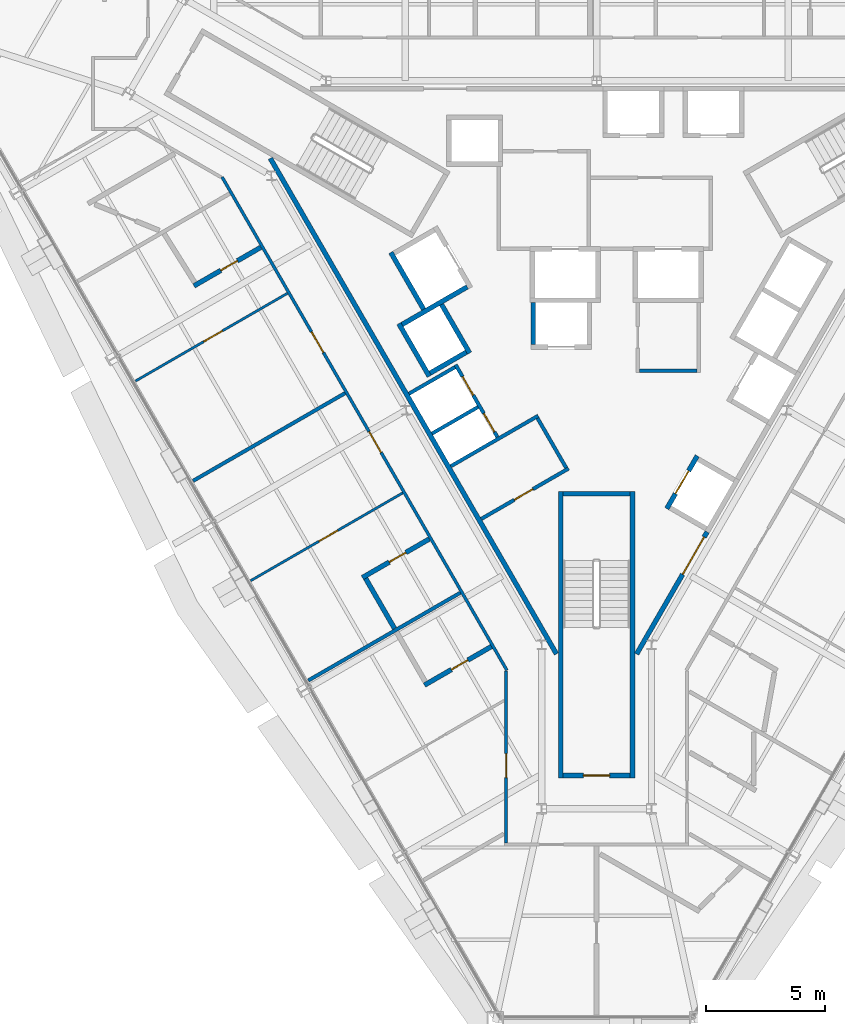
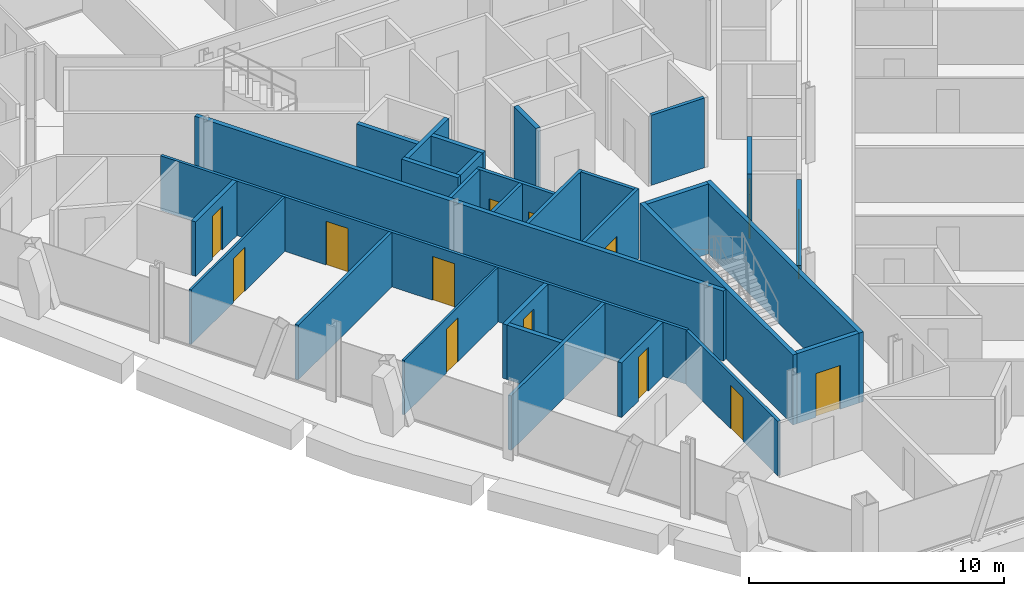
# One storey, part 10 of 16: 30 walls, 14 doors, 14 openings.
"""IFC4 building model written with IfcOpenShell, lengths in metres."""

from ifc_helpers import new_model, si_unit, direction, frame, frame_2d, origin, place, context, subcontext, project, spatial, rectangle, extrude, material, layer, layer_set, type_object, element, fill, save


model = new_model("IFC4")

# Units and contexts
model_context = context("Model", 3, precision=1e-05, world=origin(), true_north=direction((0.0, 1.0)))
body_context = subcontext(model_context, "Body", "Model", "MODEL_VIEW")
ifc_project = project(units=[si_unit("LENGTHUNIT", "METRE"), si_unit("AREAUNIT", "SQUARE_METRE"), si_unit("VOLUMEUNIT", "CUBIC_METRE"), si_unit("PLANEANGLEUNIT", "RADIAN"), si_unit("MASSUNIT", "GRAM", prefix="KILO")], contexts=[model_context])

# Site, building, storey
site_placement = place(None, origin())
site = spatial("IfcSite", under=ifc_project, at=site_placement, CompositionType="ELEMENT")
building_placement = place(site_placement, origin())
building = spatial("IfcBuilding", under=site, at=building_placement, Name="Verrane Prism Tower", CompositionType="ELEMENT")
storey_placement = place(building_placement, frame((0.0, 0.0, 107.199951171875)))
storey = spatial("IfcBuildingStorey", under=building, at=storey_placement, Name="L25", CompositionType="ELEMENT", Elevation=107.199951171875)

# Wall
ifc_material_1 = material(Name="Gypsum board partition", Category="other")
ifc_layer_1 = layer(ifc_material_1, 0.199951171875)
ifc_layer_set_1 = layer_set([ifc_layer_1], Name="CW-200 core boundary wall 2 h")
wall_type_1 = type_object("IfcWallType", Name="CW-200 core boundary wall 2 h", PredefinedType="PARTITIONING", material=ifc_layer_set_1)
wall_1_placement = place(storey_placement, frame((-13.66357421875, 5.946044921875, 0.0), z_axis=(0.0, 0.0, 1.0), x_axis=(0.499994327219, -0.866028678941, 0.0)))
element("IfcWall", 1, at=wall_1_placement, inside=storey, type_object=wall_type_1, Name="Core boundary wall CW3-001", PredefinedType="PARTITIONING", context=body_context, shape_type="SweptSolid", body=[
    extrude(rectangle(XDim=23.967529296875, YDim=0.199951171875, at=frame_2d((11.98388671875, 0.0))), origin(), (0.0, 0.0, 1.0), 3.35009765625),
])

# Wall, opening, door
wall_2_placement = place(storey_placement, frame((1.677490234375, -14.814697265625, 0.0), z_axis=(0.0, 0.0, 1.0), x_axis=(0.49999445743, 0.866028603765, 0.0)))
wall_2 = element("IfcWall", 2, at=wall_2_placement, inside=storey, type_object=wall_type_1, Name="Core boundary wall CW3-003", PredefinedType="PARTITIONING", context=body_context, shape_type="SweptSolid", body=[
    extrude(rectangle(XDim=5.90478515625, YDim=0.199951171875, at=frame_2d((2.952392578125, 0.0))), origin(), (0.0, 0.0, 1.0), 3.35009765625),
])
opening_1_placement = place(wall_2_placement, frame((3.85498046875, 0.0, 0.0)))
opening_1 = element("IfcOpeningElement", 3, at=opening_1_placement, cuts=wall_2, Name="Opening D24517", PredefinedType="OPENING", context=body_context, shape_type="SweptSolid", body=[
    extrude(rectangle(XDim=1.800048828125, YDim=2.10009765625, at=frame_2d((0.89990234375, 1.050048828125))), frame((0.0, 0.10986328125, 0.0), z_axis=(0.0, -1.0, 0.0), x_axis=(1.0, 0.0, 0.0)), (0.0, 0.0, 1.0), 0.219970703125),
])
ifc_material_2 = material(Name="Timber veneered door leaf", Category="wood")
door_type_1 = type_object("IfcDoorType", Name="DR-1800x2100 FD60 double leaf lift lobby", OperationType="NOTDEFINED", PredefinedType="DOOR", material=ifc_material_2)
door_1_placement = place(opening_1_placement, origin())
door_1 = element("IfcDoor", 4, at=door_1_placement, inside=storey, type_object=door_type_1, Name="Lift lobby door D24517", OperationType="DOUBLE_DOOR_SINGLE_SWING", OverallHeight=2.10009765625, OverallWidth=1.800048828125, PredefinedType="DOOR", context=body_context, shape_type="SweptSolid", body=[
    extrude(rectangle(XDim=1.800048828125, YDim=2.10009765625, at=frame_2d((0.89990234375, 1.050048828125))), frame((0.0, 0.02490234375, 0.0), z_axis=(0.0, -1.0, 0.0), x_axis=(1.0, 0.0, 0.0)), (0.0, 0.0, 1.0), 0.050048828125),
])
fill(opening_1, door_1)

ifc_material_3 = material(Name="Concrete C40/50", Category="concrete")
ifc_layer_2 = layer(ifc_material_3, 0.199951171875)
ifc_layer_set_2 = layer_set([ifc_layer_2], Name="CW-200 stair core wall concrete C40/50 3 h")
wall_type_2 = type_object("IfcWallType", Name="CW-200 stair core wall concrete C40/50 3 h", PredefinedType="PARTITIONING", material=ifc_layer_set_2)
wall_3_placement = place(storey_placement, frame((-1.39990234375, -19.89990234375, 0.0), z_axis=(0.0, 0.0, 1.0), x_axis=(1.0, 0.0, 0.0)))
wall_3 = element("IfcWall", 5, at=wall_3_placement, inside=storey, type_object=wall_type_2, Name="Stair 3 enclosure wall", PredefinedType="PARTITIONING", context=body_context, shape_type="SweptSolid", body=[
    extrude(rectangle(XDim=2.7998046875, YDim=0.199951171875, at=frame_2d((1.39990234375, 0.0))), origin(), (0.0, 0.0, 1.0), 3.35009765625),
])
opening_2_placement = place(wall_3_placement, frame((0.85009765625, 0.0, 0.0)))
opening_2 = element("IfcOpeningElement", 6, at=opening_2_placement, cuts=wall_3, Name="Opening D24502", PredefinedType="OPENING", context=body_context, shape_type="SweptSolid", body=[
    extrude(rectangle(XDim=1.10009765625, YDim=2.10009765625, at=frame_2d((0.550048828125, 1.050048828125))), frame((0.0, 0.10986328125, 0.0), z_axis=(0.0, -1.0, 0.0), x_axis=(1.0, 0.0, 0.0)), (0.0, 0.0, 1.0), 0.219970703125),
])
ifc_material_4 = material(Name="Timber veneered door leaf", Category="wood")
door_type_2 = type_object("IfcDoorType", Name="DR-1100x2100 FD90 single leaf stair", OperationType="NOTDEFINED", PredefinedType="DOOR", material=ifc_material_4)
door_2_placement = place(opening_2_placement, origin())
door_2 = element("IfcDoor", 7, at=door_2_placement, inside=storey, type_object=door_type_2, Name="Stair 3 door", OperationType="SINGLE_SWING_LEFT", OverallHeight=2.10009765625, OverallWidth=1.10009765625, PredefinedType="DOOR", context=body_context, shape_type="SweptSolid", body=[
    extrude(rectangle(XDim=1.10009765625, YDim=2.10009765625, at=frame_2d((0.550048828125, 1.050048828125))), frame((0.0, 0.02490234375, 0.0), z_axis=(0.0, -1.0, 0.0), x_axis=(1.0, 0.0, 0.0)), (0.0, 0.0, 1.0), 0.050048828125),
])
fill(opening_2, door_2)

# Walls
for number, where, z_axis, x_axis, name in (
    (8, (1.5, -8.0, 0.0), (0.0, 0.0, 1.0), (0.0, -1.0, 0.0), "Stair 3 enclosure wall"),
    (9, (-1.5, -8.0, 0.0), (0.0, 0.0, 1.0), (0.0, -1.0, 0.0), "Stair 3 enclosure wall"),
):
    element("IfcWall", number, at=place(storey_placement, frame(where, z_axis=z_axis, x_axis=x_axis)), inside=storey, type_object=wall_type_2, Name=name, PredefinedType="PARTITIONING", context=body_context, shape_type="SweptSolid", body=[
        extrude(rectangle(XDim=12.0, YDim=0.199951171875, at=frame_2d((6.0, 0.0))), origin(), (0.0, 0.0, 1.0), 3.35009765625),
    ])
wall_4_placement = place(storey_placement, frame((-1.39990234375, -8.10009765625, 0.0), z_axis=(0.0, 0.0, 1.0), x_axis=(1.0, 0.0, 0.0)))
element("IfcWall", 10, at=wall_4_placement, inside=storey, type_object=wall_type_2, Name="Stair 3 enclosure wall", PredefinedType="PARTITIONING", context=body_context, shape_type="SweptSolid", body=[
    extrude(rectangle(XDim=2.7998046875, YDim=0.199951171875, at=frame_2d((1.39990234375, 0.0))), origin(), (0.0, 0.0, 1.0), 3.35009765625),
])
ifc_material_5 = material(Name="Gypsum board shaft wall assembly", Category="other")
ifc_layer_3 = layer(ifc_material_5, 0.199951171875)
ifc_layer_set_3 = layer_set([ifc_layer_3], Name="HW-200 lift shaft wall 2 h")
wall_type_3 = type_object("IfcWallType", Name="HW-200 lift shaft wall 2 h", PredefinedType="PARTITIONING", material=ifc_layer_set_3)
wall_5_placement = place(storey_placement, frame((-6.9697265625, -3.048095703125, 0.0), z_axis=(0.0, 0.0, 1.0), x_axis=(0.866036909293, 0.499980071345, 0.0)))
element("IfcWall", 11, at=wall_5_placement, inside=storey, type_object=wall_type_3, Name="Lift shaft wall", PredefinedType="PARTITIONING", context=body_context, shape_type="SweptSolid", body=[
    extrude(rectangle(XDim=1.75, YDim=0.199951171875, at=frame_2d((0.875, 0.0))), origin(), (0.0, 0.0, 1.0), 3.60009765625),
])
wall_6_placement = place(storey_placement, frame((-8.14453125, -1.012939453125, 0.0), z_axis=(0.0, 0.0, 1.0), x_axis=(0.866016494683, 0.500015430699, 0.0)))
element("IfcWall", 12, at=wall_6_placement, inside=storey, type_object=wall_type_3, Name="Lift shaft wall", PredefinedType="PARTITIONING", context=body_context, shape_type="SweptSolid", body=[
    extrude(rectangle(XDim=3.14990234375, YDim=0.199951171875, at=frame_2d((1.574951171875, 0.0))), origin(), (0.0, 0.0, 1.0), 3.60009765625),
])

# Wall, opening, door
wall_7_placement = place(storey_placement, frame((2.941650390625, -8.724853515625, 0.0), z_axis=(0.0, 0.0, 1.0), x_axis=(0.500020783669, 0.866013403995, 0.0)))
wall_7 = element("IfcWall", 13, at=wall_7_placement, inside=storey, type_object=wall_type_3, Name="Lift shaft wall", PredefinedType="PARTITIONING", context=body_context, shape_type="SweptSolid", body=[
    extrude(rectangle(XDim=2.55029296875, YDim=0.199951171875, at=frame_2d((1.275146484375, 0.0))), origin(), (0.0, 0.0, 1.0), 3.60009765625),
])
opening_3_placement = place(wall_7_placement, frame((0.72509765625, 0.0, 0.0)))
opening_3 = element("IfcOpeningElement", 14, at=opening_3_placement, cuts=wall_7, Name="Opening D24506", PredefinedType="OPENING", context=body_context, shape_type="SweptSolid", body=[
    extrude(rectangle(XDim=1.10009765625, YDim=2.10009765625, at=frame_2d((0.550048828125, 1.050048828125))), frame((0.0, 0.10986328125, 0.0), z_axis=(0.0, -1.0, 0.0), x_axis=(1.0, 0.0, 0.0)), (0.0, 0.0, 1.0), 0.219970703125),
])
ifc_material_6 = material(Name="Stainless steel sliding landing door", Category="steel")
door_type_3 = type_object("IfcDoorType", Name="LD-1100x2100 lift landing door FD90 sliding", OperationType="NOTDEFINED", PredefinedType="DOOR", material=ifc_material_6)
door_3_placement = place(opening_3_placement, origin())
door_3 = element("IfcDoor", 15, at=door_3_placement, inside=storey, type_object=door_type_3, Name="Bank A lift 4 landing door", OperationType="SLIDING_TO_RIGHT", OverallHeight=2.10009765625, OverallWidth=1.10009765625, PredefinedType="DOOR", context=body_context, shape_type="SweptSolid", body=[
    extrude(rectangle(XDim=1.10009765625, YDim=2.10009765625, at=frame_2d((0.550048828125, 1.050048828125))), frame((0.0, 0.02490234375, 0.0), z_axis=(0.0, -1.0, 0.0), x_axis=(1.0, 0.0, 0.0)), (0.0, 0.0, 1.0), 0.050048828125),
])
fill(opening_3, door_3)

# Walls
wall_8_placement = place(storey_placement, frame((-2.655029296875, -1.85009765625, 0.0), z_axis=(0.0, 0.0, 1.0), x_axis=(0.0, 1.0, 0.0)))
element("IfcWall", 16, at=wall_8_placement, inside=storey, type_object=wall_type_3, Name="Lift shaft wall", PredefinedType="PARTITIONING", context=body_context, shape_type="SweptSolid", body=[
    extrude(rectangle(XDim=1.75, YDim=0.199951171875, at=frame_2d((0.875, 0.0))), origin(), (0.0, 0.0, 1.0), 3.60009765625),
])
wall_9_placement = place(storey_placement, frame((-5.317626953125, -2.209716796875, 0.0), z_axis=(0.0, 0.0, 1.0), x_axis=(-0.499938297808, 0.866061024631, 0.0)))
element("IfcWall", 17, at=wall_9_placement, inside=storey, type_object=wall_type_3, Name="Lift shaft wall", PredefinedType="PARTITIONING", context=body_context, shape_type="SweptSolid", body=[
    extrude(rectangle(XDim=2.349853515625, YDim=0.199951171875, at=frame_2d((1.1748046875, 0.0))), origin(), (0.0, 0.0, 1.0), 3.60009765625),
])
wall_10_placement = place(storey_placement, frame((-7.241943359375, -0.37646484375, 0.0), z_axis=(0.0, 0.0, 1.0), x_axis=(-0.499996545922, 0.866027397988, 0.0)))
element("IfcWall", 18, at=wall_10_placement, inside=storey, type_object=wall_type_3, Name="Lift shaft wall", PredefinedType="PARTITIONING", context=body_context, shape_type="SweptSolid", body=[
    extrude(rectangle(XDim=2.75, YDim=0.199951171875, at=frame_2d((1.375, 0.0))), origin(), (0.0, 0.0, 1.0), 3.60009765625),
])
wall_11_placement = place(storey_placement, frame((-7.00634765625, -3.184814453125, 0.0), z_axis=(0.0, 0.0, 1.0), x_axis=(-0.499990435942, 0.866030925526, 0.0)))
element("IfcWall", 19, at=wall_11_placement, inside=storey, type_object=wall_type_3, Name="Lift shaft wall", PredefinedType="PARTITIONING", context=body_context, shape_type="SweptSolid", body=[
    extrude(rectangle(XDim=2.5498046875, YDim=0.199951171875, at=frame_2d((1.27490234375, 0.0))), origin(), (0.0, 0.0, 1.0), 3.60009765625),
])

# Wall, opening, door
ifc_material_7 = material(Name="Gypsum board partition", Category="other")
ifc_layer_4 = layer(ifc_material_7, 0.10009765625)
ifc_layer_set_4 = layer_set([ifc_layer_4], Name="PW-100 room partition")
wall_type_4 = type_object("IfcWallType", Name="PW-100 room partition", PredefinedType="PARTITIONING", material=ifc_layer_set_4)
wall_12_placement = place(storey_placement, frame((-19.311279296875, -3.3818359375, 0.0), z_axis=(0.0, 0.0, 1.0), x_axis=(0.865995225926, 0.500052265941, 0.0)))
wall_12 = element("IfcWall", 20, at=wall_12_placement, inside=storey, type_object=wall_type_4, Name="Room partition 012", PredefinedType="PARTITIONING", context=body_context, shape_type="SweptSolid", body=[
    extrude(rectangle(XDim=7.347412109375, YDim=0.10009765625, at=frame_2d((3.673828125, 0.0))), origin(), (0.0, 0.0, 1.0), 2.613037109375),
])
opening_4_placement = place(wall_12_placement, frame((3.303466796875, 0.0, 0.0)))
opening_4 = element("IfcOpeningElement", 21, at=opening_4_placement, cuts=wall_12, Name="Opening D24032", PredefinedType="OPENING", context=body_context, shape_type="SweptSolid", body=[
    extrude(rectangle(XDim=0.89990234375, YDim=2.10009765625, at=frame_2d((0.449951171875, 1.050048828125))), frame((0.0, 0.06005859375, 0.0), z_axis=(0.0, -1.0, 0.0), x_axis=(1.0, 0.0, 0.0)), (0.0, 0.0, 1.0), 0.1201171875),
])
ifc_material_8 = material(Name="Timber veneered door leaf", Category="wood")
door_type_4 = type_object("IfcDoorType", Name="DR-900x2100 single leaf inner", OperationType="NOTDEFINED", PredefinedType="DOOR", material=ifc_material_8)
door_4_placement = place(opening_4_placement, origin())
door_4 = element("IfcDoor", 22, at=door_4_placement, inside=storey, type_object=door_type_4, Name="Suite Living Room door", OperationType="SINGLE_SWING_RIGHT", OverallHeight=2.10009765625, OverallWidth=0.89990234375, PredefinedType="DOOR", context=body_context, shape_type="SweptSolid", body=[
    extrude(rectangle(XDim=0.89990234375, YDim=2.10009765625, at=frame_2d((0.449951171875, 1.050048828125))), frame((0.0, 0.02490234375, 0.0), z_axis=(0.0, -1.0, 0.0), x_axis=(1.0, 0.0, 0.0)), (0.0, 0.0, 1.0), 0.050048828125),
])
fill(opening_4, door_4)

wall_13_placement = place(storey_placement, frame((-8.1171875, -8.066162109375, 0.0), z_axis=(0.0, 0.0, 1.0), x_axis=(-0.866052324842, -0.499953368461, 0.0)))
wall_13 = element("IfcWall", 23, at=wall_13_placement, inside=storey, type_object=wall_type_4, Name="Room partition 024", PredefinedType="PARTITIONING", context=body_context, shape_type="SweptSolid", body=[
    extrude(rectangle(XDim=7.352294921875, YDim=0.10009765625, at=frame_2d((3.67626953125, 0.0))), origin(), (0.0, 0.0, 1.0), 2.613037109375),
])
opening_5_placement = place(wall_13_placement, frame((3.1484375, 0.0, 0.0)))
opening_5 = element("IfcOpeningElement", 24, at=opening_5_placement, cuts=wall_13, Name="Opening D24035", PredefinedType="OPENING", context=body_context, shape_type="SweptSolid", body=[
    extrude(rectangle(XDim=0.89990234375, YDim=2.10009765625, at=frame_2d((0.449951171875, 1.050048828125))), frame((0.0, 0.06005859375, 0.0), z_axis=(0.0, -1.0, 0.0), x_axis=(1.0, 0.0, 0.0)), (0.0, 0.0, 1.0), 0.1201171875),
])
door_5_placement = place(opening_5_placement, origin())
door_5 = element("IfcDoor", 25, at=door_5_placement, inside=storey, type_object=door_type_4, Name="Suite Living Room door", OperationType="SINGLE_SWING_RIGHT", OverallHeight=2.10009765625, OverallWidth=0.89990234375, PredefinedType="DOOR", context=body_context, shape_type="SweptSolid", body=[
    extrude(rectangle(XDim=0.89990234375, YDim=2.10009765625, at=frame_2d((0.449951171875, 1.050048828125))), frame((0.0, 0.02490234375, 0.0), z_axis=(0.0, -1.0, 0.0), x_axis=(1.0, 0.0, 0.0)), (0.0, 0.0, 1.0), 0.050048828125),
])
fill(opening_5, door_5)

# Wall, openings, doors
ifc_material_9 = material(Name="Gypsum board partition", Category="other")
ifc_layer_5 = layer(ifc_material_9, 0.125)
ifc_layer_set_5 = layer_set([ifc_layer_5], Name="PW-125 corridor wall 1 h")
wall_type_5 = type_object("IfcWallType", Name="PW-125 corridor wall 1 h", PredefinedType="PARTITIONING", material=ifc_layer_set_5)
wall_14_placement = place(storey_placement, frame((-3.755859375, -15.494140625, 0.0), z_axis=(0.0, 0.0, 1.0), x_axis=(-0.500027787016, 0.866009360349, 0.0)))
wall_14 = element("IfcWall", 26, at=wall_14_placement, inside=storey, type_object=wall_type_5, Name="Corridor wall 023", PredefinedType="PARTITIONING", context=body_context, shape_type="SweptSolid", body=[
    extrude(rectangle(XDim=23.855712890625, YDim=0.125, at=frame_2d((11.927734375, 0.0))), origin(), (0.0, 0.0, 1.0), 2.613037109375),
])
opening_6_placement = place(wall_14_placement, frame((15.3681640625, 0.0, 0.0)))
opening_6 = element("IfcOpeningElement", 27, at=opening_6_placement, cuts=wall_14, Name="Opening D24031", PredefinedType="OPENING", context=body_context, shape_type="SweptSolid", body=[
    extrude(rectangle(XDim=1.0, YDim=2.10009765625, at=frame_2d((0.5, 1.050048828125))), frame((0.0, 0.072509765625, 0.0), z_axis=(0.0, -1.0, 0.0), x_axis=(1.0, 0.0, 0.0)), (0.0, 0.0, 1.0), 0.14501953125),
])
opening_7_placement = place(wall_14_placement, frame((10.540283203125, 0.0, 0.0)))
opening_7 = element("IfcOpeningElement", 28, at=opening_7_placement, cuts=wall_14, Name="Opening D24034", PredefinedType="OPENING", context=body_context, shape_type="SweptSolid", body=[
    extrude(rectangle(XDim=1.0, YDim=2.10009765625, at=frame_2d((0.5, 1.050048828125))), frame((0.0, 0.072509765625, 0.0), z_axis=(0.0, -1.0, 0.0), x_axis=(1.0, 0.0, 0.0)), (0.0, 0.0, 1.0), 0.14501953125),
])
ifc_material_10 = material(Name="Timber veneered door leaf", Category="wood")
door_type_5 = type_object("IfcDoorType", Name="DR-1000x2100 FD20 single leaf unit", OperationType="NOTDEFINED", PredefinedType="DOOR", material=ifc_material_10)
door_6_placement = place(opening_6_placement, origin())
door_6 = element("IfcDoor", 29, at=door_6_placement, inside=storey, type_object=door_type_5, Name="Suite Living Room door", OperationType="SINGLE_SWING_RIGHT", OverallHeight=2.10009765625, OverallWidth=1.0, PredefinedType="DOOR", context=body_context, shape_type="SweptSolid", body=[
    extrude(rectangle(XDim=1.0, YDim=2.10009765625, at=frame_2d((0.5, 1.050048828125))), frame((0.0, 0.02490234375, 0.0), z_axis=(0.0, -1.0, 0.0), x_axis=(1.0, 0.0, 0.0)), (0.0, 0.0, 1.0), 0.050048828125),
])
fill(opening_6, door_6)
door_7_placement = place(opening_7_placement, origin())
door_7 = element("IfcDoor", 30, at=door_7_placement, inside=storey, type_object=door_type_5, Name="Suite Living Room door", OperationType="SINGLE_SWING_LEFT", OverallHeight=2.10009765625, OverallWidth=1.0, PredefinedType="DOOR", context=body_context, shape_type="SweptSolid", body=[
    extrude(rectangle(XDim=1.0, YDim=2.10009765625, at=frame_2d((0.5, 1.050048828125))), frame((0.0, 0.02490234375, 0.0), z_axis=(0.0, -1.0, 0.0), x_axis=(1.0, 0.0, 0.0)), (0.0, 0.0, 1.0), 0.050048828125),
])
fill(opening_7, door_7)

# Wall, opening, door
wall_15_placement = place(storey_placement, frame((-3.787109375, -22.721923828125, 0.0), z_axis=(0.0, 0.0, 1.0), x_axis=(0.0, 1.0, 0.0)))
wall_15 = element("IfcWall", 31, at=wall_15_placement, inside=storey, type_object=wall_type_5, Name="Corridor wall 037", PredefinedType="PARTITIONING", context=body_context, shape_type="SweptSolid", body=[
    extrude(rectangle(XDim=7.197021484375, YDim=0.125, at=frame_2d((3.5986328125, 0.0))), origin(), (0.0, 0.0, 1.0), 2.613037109375),
])
opening_8_placement = place(wall_15_placement, frame((2.735107421875, 0.0, 0.0)))
opening_8 = element("IfcOpeningElement", 32, at=opening_8_placement, cuts=wall_15, Name="Opening D24037", PredefinedType="OPENING", context=body_context, shape_type="SweptSolid", body=[
    extrude(rectangle(XDim=1.0, YDim=2.10009765625, at=frame_2d((0.5, 1.050048828125))), frame((0.0, 0.072509765625, 0.0), z_axis=(0.0, -1.0, 0.0), x_axis=(1.0, 0.0, 0.0)), (0.0, 0.0, 1.0), 0.14501953125),
])
door_8_placement = place(opening_8_placement, origin())
door_8 = element("IfcDoor", 33, at=door_8_placement, inside=storey, type_object=door_type_5, Name="Suite Living Room door", OperationType="SINGLE_SWING_LEFT", OverallHeight=2.10009765625, OverallWidth=1.0, PredefinedType="DOOR", context=body_context, shape_type="SweptSolid", body=[
    extrude(rectangle(XDim=1.0, YDim=2.10009765625, at=frame_2d((0.5, 1.050048828125))), frame((0.0, 0.02490234375, 0.0), z_axis=(0.0, -1.0, 0.0), x_axis=(1.0, 0.0, 0.0)), (0.0, 0.0, 1.0), 0.050048828125),
])
fill(opening_8, door_8)

# Walls
ifc_material_11 = material(Name="Gypsum board partition", Category="other")
ifc_layer_6 = layer(ifc_material_11, 0.14990234375)
ifc_layer_set_6 = layer_set([ifc_layer_6], Name="PW-150 demising wall 1 h")
wall_type_6 = type_object("IfcWallType", Name="PW-150 demising wall 1 h", PredefinedType="PARTITIONING", material=ifc_layer_set_6)
wall_16_placement = place(storey_placement, frame((-16.897705078125, -7.56201171875, 0.0), z_axis=(0.0, 0.0, 1.0), x_axis=(0.866055004685, 0.499948726231, 0.0)))
element("IfcWall", 34, at=wall_16_placement, inside=storey, type_object=wall_type_6, Name="Demising wall 018", PredefinedType="PARTITIONING", context=body_context, shape_type="SweptSolid", body=[
    extrude(rectangle(XDim=7.347412109375, YDim=0.14990234375, at=frame_2d((3.673828125, 0.0))), origin(), (0.0, 0.0, 1.0), 2.613037109375),
])
wall_17_placement = place(storey_placement, frame((-12.071044921875, -15.922119140625, 0.0), z_axis=(0.0, 0.0, 1.0), x_axis=(0.866063309627, 0.499934339407, 0.0)))
element("IfcWall", 35, at=wall_17_placement, inside=storey, type_object=wall_type_6, Name="Demising wall 026", PredefinedType="PARTITIONING", context=body_context, shape_type="SweptSolid", body=[
    extrude(rectangle(XDim=7.34765625, YDim=0.14990234375, at=frame_2d((3.673828125, 0.0))), origin(), (0.0, 0.0, 1.0), 2.613037109375),
])

# Wall, opening, door
ifc_material_12 = material(Name="Gypsum board partition", Category="other")
ifc_layer_7 = layer(ifc_material_12, 0.199951171875)
ifc_layer_set_7 = layer_set([ifc_layer_7], Name="PW-200 plumbing wall")
wall_type_7 = type_object("IfcWallType", Name="PW-200 plumbing wall", PredefinedType="PARTITIONING", material=ifc_layer_set_7)
wall_18_placement = place(storey_placement, frame((-16.860595703125, 0.60400390625, 0.0), z_axis=(0.0, 0.0, 1.0), x_axis=(0.866003189247, 0.500038474733, 0.0)))
wall_18 = element("IfcWall", 36, at=wall_18_placement, inside=storey, type_object=wall_type_7, Name="Plumbing wall 019", PredefinedType="PARTITIONING", context=body_context, shape_type="SweptSolid", body=[
    extrude(rectangle(XDim=3.232177734375, YDim=0.199951171875, at=frame_2d((1.6162109375, 0.0))), origin(), (0.0, 0.0, 1.0), 2.613037109375),
])
opening_9_placement = place(wall_18_placement, frame((1.300048828125, 0.0, 0.0)))
opening_9 = element("IfcOpeningElement", 37, at=opening_9_placement, cuts=wall_18, Name="Opening D24033", PredefinedType="OPENING", context=body_context, shape_type="SweptSolid", body=[
    extrude(rectangle(XDim=0.800048828125, YDim=2.10009765625, at=frame_2d((0.39990234375, 1.050048828125))), frame((0.0, 0.10986328125, 0.0), z_axis=(0.0, -1.0, 0.0), x_axis=(1.0, 0.0, 0.0)), (0.0, 0.0, 1.0), 0.219970703125),
])
ifc_material_13 = material(Name="Timber veneered door leaf", Category="wood")
door_type_6 = type_object("IfcDoorType", Name="DR-800x2100 single leaf bath", OperationType="NOTDEFINED", PredefinedType="DOOR", material=ifc_material_13)
door_9_placement = place(opening_9_placement, origin())
door_9 = element("IfcDoor", 38, at=door_9_placement, inside=storey, type_object=door_type_6, Name="En-Suite door", OperationType="SINGLE_SWING_LEFT", OverallHeight=2.10009765625, OverallWidth=0.800048828125, PredefinedType="DOOR", context=body_context, shape_type="SweptSolid", body=[
    extrude(rectangle(XDim=0.800048828125, YDim=2.10009765625, at=frame_2d((0.39990234375, 1.050048828125))), frame((0.0, 0.02490234375, 0.0), z_axis=(0.0, -1.0, 0.0), x_axis=(1.0, 0.0, 0.0)), (0.0, 0.0, 1.0), 0.050048828125),
])
fill(opening_9, door_9)

# Wall
wall_19_placement = place(storey_placement, frame((-9.6708984375, -11.649658203125, 0.0), z_axis=(0.0, 0.0, 1.0), x_axis=(0.50002218001, -0.866012597771, 0.0)))
element("IfcWall", 39, at=wall_19_placement, inside=storey, type_object=wall_type_7, Name="Plumbing wall 028", PredefinedType="PARTITIONING", context=body_context, shape_type="SweptSolid", body=[
    extrude(rectangle(XDim=2.4208984375, YDim=0.199951171875, at=frame_2d((1.21044921875, 0.0))), origin(), (0.0, 0.0, 1.0), 2.613037109375),
])

# Wall, opening, door
wall_20_placement = place(storey_placement, frame((-7.007568359375, -9.996826171875, 0.0), z_axis=(0.0, 0.0, 1.0), x_axis=(-0.866078705744, -0.499907666931, 0.0)))
wall_20 = element("IfcWall", 40, at=wall_20_placement, inside=storey, type_object=wall_type_7, Name="Plumbing wall 029", PredefinedType="PARTITIONING", context=body_context, shape_type="SweptSolid", body=[
    extrude(rectangle(XDim=3.23291015625, YDim=0.199951171875, at=frame_2d((1.616455078125, 0.0))), origin(), (0.0, 0.0, 1.0), 2.613037109375),
])
opening_10_placement = place(wall_20_placement, frame((1.133056640625, 0.0, 0.0)))
opening_10 = element("IfcOpeningElement", 41, at=opening_10_placement, cuts=wall_20, Name="Opening D24036", PredefinedType="OPENING", context=body_context, shape_type="SweptSolid", body=[
    extrude(rectangle(XDim=0.800048828125, YDim=2.10009765625, at=frame_2d((0.39990234375, 1.050048828125))), frame((0.0, 0.10986328125, 0.0), z_axis=(0.0, -1.0, 0.0), x_axis=(1.0, 0.0, 0.0)), (0.0, 0.0, 1.0), 0.219970703125),
])
door_10_placement = place(opening_10_placement, origin())
door_10 = element("IfcDoor", 42, at=door_10_placement, inside=storey, type_object=door_type_6, Name="En-Suite door", OperationType="SINGLE_SWING_LEFT", OverallHeight=2.10009765625, OverallWidth=0.800048828125, PredefinedType="DOOR", context=body_context, shape_type="SweptSolid", body=[
    extrude(rectangle(XDim=0.800048828125, YDim=2.10009765625, at=frame_2d((0.39990234375, 1.050048828125))), frame((0.0, 0.02490234375, 0.0), z_axis=(0.0, -1.0, 0.0), x_axis=(1.0, 0.0, 0.0)), (0.0, 0.0, 1.0), 0.050048828125),
])
fill(opening_10, door_10)

wall_21_placement = place(storey_placement, frame((-7.20751953125, -16.116943359375, 0.0), z_axis=(0.0, 0.0, 1.0), x_axis=(0.866091428368, 0.499885624626, 0.0)))
wall_21 = element("IfcWall", 43, at=wall_21_placement, inside=storey, type_object=wall_type_7, Name="Plumbing wall 033", PredefinedType="PARTITIONING", context=body_context, shape_type="SweptSolid", body=[
    extrude(rectangle(XDim=3.238037109375, YDim=0.199951171875, at=frame_2d((1.619140625, 0.0))), origin(), (0.0, 0.0, 1.0), 2.613037109375),
])
opening_11_placement = place(wall_21_placement, frame((1.300048828125, 0.0, 0.0)))
opening_11 = element("IfcOpeningElement", 44, at=opening_11_placement, cuts=wall_21, Name="Opening D24039", PredefinedType="OPENING", context=body_context, shape_type="SweptSolid", body=[
    extrude(rectangle(XDim=0.800048828125, YDim=2.10009765625, at=frame_2d((0.39990234375, 1.050048828125))), frame((0.0, 0.10986328125, 0.0), z_axis=(0.0, -1.0, 0.0), x_axis=(1.0, 0.0, 0.0)), (0.0, 0.0, 1.0), 0.219970703125),
])
door_11_placement = place(opening_11_placement, origin())
door_11 = element("IfcDoor", 45, at=door_11_placement, inside=storey, type_object=door_type_6, Name="En-Suite door", OperationType="SINGLE_SWING_LEFT", OverallHeight=2.10009765625, OverallWidth=0.800048828125, PredefinedType="DOOR", context=body_context, shape_type="SweptSolid", body=[
    extrude(rectangle(XDim=0.800048828125, YDim=2.10009765625, at=frame_2d((0.39990234375, 1.050048828125))), frame((0.0, 0.02490234375, 0.0), z_axis=(0.0, -1.0, 0.0), x_axis=(1.0, 0.0, 0.0)), (0.0, 0.0, 1.0), 0.050048828125),
])
fill(opening_11, door_11)

# Walls
ifc_material_14 = material(Name="Gypsum board partition", Category="other")
ifc_layer_8 = layer(ifc_material_14, 0.14990234375)
ifc_layer_set_8 = layer_set([ifc_layer_8], Name="RS-150 riser enclosure wall 1 h")
wall_type_8 = type_object("IfcWallType", Name="RS-150 riser enclosure wall 1 h", PredefinedType="PARTITIONING", material=ifc_layer_set_8)
wall_22_placement = place(storey_placement, frame((-7.8564453125, -3.912109375, 0.0), z_axis=(0.0, 0.0, 1.0), x_axis=(0.865971748, 0.500092923031, 0.0)))
element("IfcWall", 46, at=wall_22_placement, inside=storey, type_object=wall_type_8, Name="Riser wall RS3-001", PredefinedType="PARTITIONING", context=body_context, shape_type="SweptSolid", body=[
    extrude(rectangle(XDim=2.224609375, YDim=0.14990234375, at=frame_2d((1.1123046875, 0.0))), origin(), (0.0, 0.0, 1.0), 3.35009765625),
])
wall_23_placement = place(storey_placement, frame((-6.892333984375, -5.58203125, 0.0), z_axis=(0.0, 0.0, 1.0), x_axis=(0.865944298464, 0.500140452231, 0.0)))
element("IfcWall", 47, at=wall_23_placement, inside=storey, type_object=wall_type_8, Name="Riser wall RS3-002", PredefinedType="PARTITIONING", context=body_context, shape_type="SweptSolid", body=[
    extrude(rectangle(XDim=2.224365234375, YDim=0.14990234375, at=frame_2d((1.1123046875, 0.0))), origin(), (0.0, 0.0, 1.0), 3.35009765625),
])
wall_24_placement = place(storey_placement, frame((-6.10009765625, -6.945556640625, 0.0), z_axis=(0.0, 0.0, 1.0), x_axis=(0.866038200431, 0.499977834903, 0.0)))
element("IfcWall", 48, at=wall_24_placement, inside=storey, type_object=wall_type_8, Name="Riser wall RS3-003", PredefinedType="PARTITIONING", context=body_context, shape_type="SweptSolid", body=[
    extrude(rectangle(XDim=4.220458984375, YDim=0.14990234375, at=frame_2d((2.1103515625, 0.0))), origin(), (0.0, 0.0, 1.0), 3.35009765625),
])

# Wall, openings, doors
wall_25_placement = place(storey_placement, frame((-4.152099609375, -5.728759765625, 0.0), z_axis=(0.0, 0.0, 1.0), x_axis=(-0.500024287448, 0.866011380966, 0.0)))
wall_25 = element("IfcWall", 49, at=wall_25_placement, inside=storey, type_object=wall_type_8, Name="Riser wall RS3-004", PredefinedType="PARTITIONING", context=body_context, shape_type="SweptSolid", body=[
    extrude(rectangle(XDim=3.500732421875, YDim=0.14990234375, at=frame_2d((1.75048828125, 0.0))), origin(), (0.0, 0.0, 1.0), 3.35009765625),
])
opening_12_placement = place(wall_25_placement, frame((2.025634765625, 0.0, 0.0)))
opening_12 = element("IfcOpeningElement", 50, at=opening_12_placement, cuts=wall_25, Name="Opening D24512", PredefinedType="OPENING", context=body_context, shape_type="SweptSolid", body=[
    extrude(rectangle(XDim=0.89990234375, YDim=2.10009765625, at=frame_2d((0.449951171875, 1.050048828125))), frame((0.0, 0.0849609375, 0.0), z_axis=(0.0, -1.0, 0.0), x_axis=(1.0, 0.0, 0.0)), (0.0, 0.0, 1.0), 0.169921875),
])
opening_13_placement = place(wall_25_placement, frame((0.247802734375, 0.0, 0.0)))
opening_13 = element("IfcOpeningElement", 51, at=opening_13_placement, cuts=wall_25, Name="Opening D24513", PredefinedType="OPENING", context=body_context, shape_type="SweptSolid", body=[
    extrude(rectangle(XDim=0.89990234375, YDim=2.10009765625, at=frame_2d((0.449951171875, 1.050048828125))), frame((0.0, 0.0849609375, 0.0), z_axis=(0.0, -1.0, 0.0), x_axis=(1.0, 0.0, 0.0)), (0.0, 0.0, 1.0), 0.169921875),
])
ifc_material_15 = material(Name="Timber veneered door leaf", Category="wood")
door_type_7 = type_object("IfcDoorType", Name="DR-900x2100 FD60 single leaf riser", OperationType="NOTDEFINED", PredefinedType="DOOR", material=ifc_material_15)
door_12_placement = place(opening_12_placement, origin())
door_12 = element("IfcDoor", 52, at=door_12_placement, inside=storey, type_object=door_type_7, Name="Riser door D24512", OperationType="SINGLE_SWING_RIGHT", OverallHeight=2.10009765625, OverallWidth=0.89990234375, PredefinedType="DOOR", context=body_context, shape_type="SweptSolid", body=[
    extrude(rectangle(XDim=0.89990234375, YDim=2.10009765625, at=frame_2d((0.449951171875, 1.050048828125))), frame((0.0, 0.02490234375, 0.0), z_axis=(0.0, -1.0, 0.0), x_axis=(1.0, 0.0, 0.0)), (0.0, 0.0, 1.0), 0.050048828125),
])
fill(opening_12, door_12)
door_13_placement = place(opening_13_placement, origin())
door_13 = element("IfcDoor", 53, at=door_13_placement, inside=storey, type_object=door_type_7, Name="Riser door D24513", OperationType="SINGLE_SWING_LEFT", OverallHeight=2.10009765625, OverallWidth=0.89990234375, PredefinedType="DOOR", context=body_context, shape_type="SweptSolid", body=[
    extrude(rectangle(XDim=0.89990234375, YDim=2.10009765625, at=frame_2d((0.449951171875, 1.050048828125))), frame((0.0, 0.02490234375, 0.0), z_axis=(0.0, -1.0, 0.0), x_axis=(1.0, 0.0, 0.0)), (0.0, 0.0, 1.0), 0.050048828125),
])
fill(opening_13, door_13)

# Wall, opening, door
wall_26_placement = place(storey_placement, frame((-4.824951171875, -9.153564453125, 0.0), z_axis=(0.0, 0.0, 1.0), x_axis=(0.866023738697, 0.500002884005, 0.0)))
wall_26 = element("IfcWall", 54, at=wall_26_placement, inside=storey, type_object=wall_type_8, Name="Riser wall RS3-005", PredefinedType="PARTITIONING", context=body_context, shape_type="SweptSolid", body=[
    extrude(rectangle(XDim=4.22021484375, YDim=0.14990234375, at=frame_2d((2.110107421875, 0.0))), origin(), (0.0, 0.0, 1.0), 3.35009765625),
])
opening_14_placement = place(wall_26_placement, frame((1.594970703125, 0.0, 0.0)))
opening_14 = element("IfcOpeningElement", 55, at=opening_14_placement, cuts=wall_26, Name="Opening D24514", PredefinedType="OPENING", context=body_context, shape_type="SweptSolid", body=[
    extrude(rectangle(XDim=0.89990234375, YDim=2.10009765625, at=frame_2d((0.449951171875, 1.050048828125))), frame((0.0, 0.0849609375, 0.0), z_axis=(0.0, -1.0, 0.0), x_axis=(1.0, 0.0, 0.0)), (0.0, 0.0, 1.0), 0.169921875),
])
ifc_material_16 = material(Name="Timber veneered door leaf", Category="wood")
door_type_8 = type_object("IfcDoorType", Name="DR-900x2100 FD20 single leaf store", OperationType="NOTDEFINED", PredefinedType="DOOR", material=ifc_material_16)
door_14_placement = place(opening_14_placement, origin())
door_14 = element("IfcDoor", 56, at=door_14_placement, inside=storey, type_object=door_type_8, Name="Room door D24514", OperationType="SINGLE_SWING_LEFT", OverallHeight=2.10009765625, OverallWidth=0.89990234375, PredefinedType="DOOR", context=body_context, shape_type="SweptSolid", body=[
    extrude(rectangle(XDim=0.89990234375, YDim=2.10009765625, at=frame_2d((0.449951171875, 1.050048828125))), frame((0.0, 0.02490234375, 0.0), z_axis=(0.0, -1.0, 0.0), x_axis=(1.0, 0.0, 0.0)), (0.0, 0.0, 1.0), 0.050048828125),
])
fill(opening_14, door_14)

# Walls
wall_27_placement = place(storey_placement, frame((-2.472412109375, -4.93798828125, 0.0), z_axis=(0.0, 0.0, 1.0), x_axis=(0.500045362686, -0.865999212041, 0.0)))
element("IfcWall", 57, at=wall_27_placement, inside=storey, type_object=wall_type_8, Name="Riser wall RS3-006", PredefinedType="PARTITIONING", context=body_context, shape_type="SweptSolid", body=[
    extrude(rectangle(XDim=2.399658203125, YDim=0.14990234375, at=frame_2d((1.19970703125, 0.0))), origin(), (0.0, 0.0, 1.0), 3.35009765625),
])
wall_28_placement = place(storey_placement, frame((1.800048828125, -2.949951171875, 0.0), z_axis=(0.0, 0.0, 1.0), x_axis=(1.0, 0.0, 0.0)))
element("IfcWall", 58, at=wall_28_placement, inside=storey, type_object=wall_type_8, Name="Riser wall RS3-008", PredefinedType="PARTITIONING", context=body_context, shape_type="SweptSolid", body=[
    extrude(rectangle(XDim=2.39990234375, YDim=0.14990234375, at=frame_2d((1.199951171875, 0.0))), origin(), (0.0, 0.0, 1.0), 3.35009765625),
])

save(model, "model.ifc")
